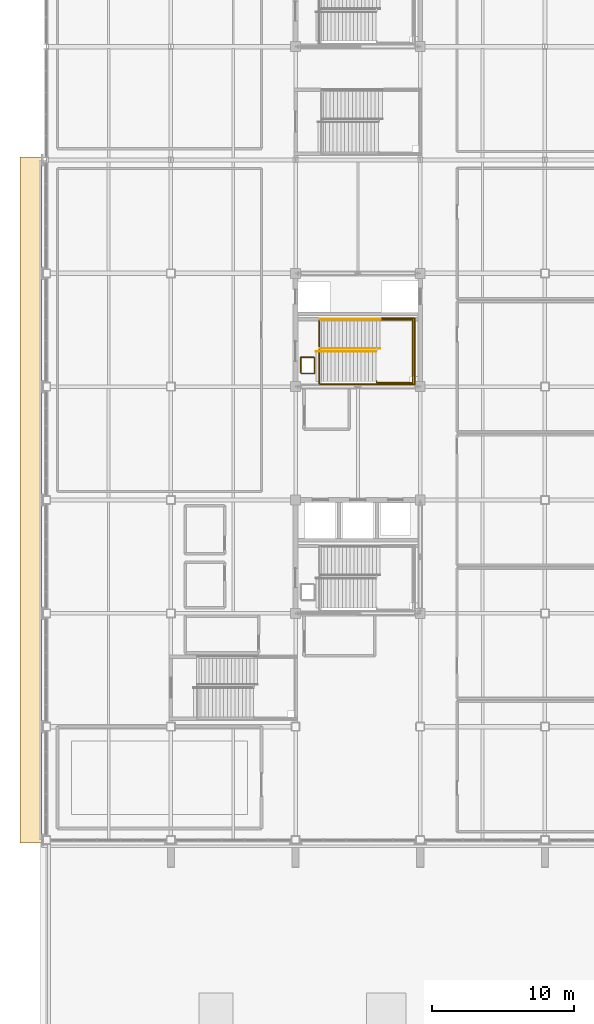
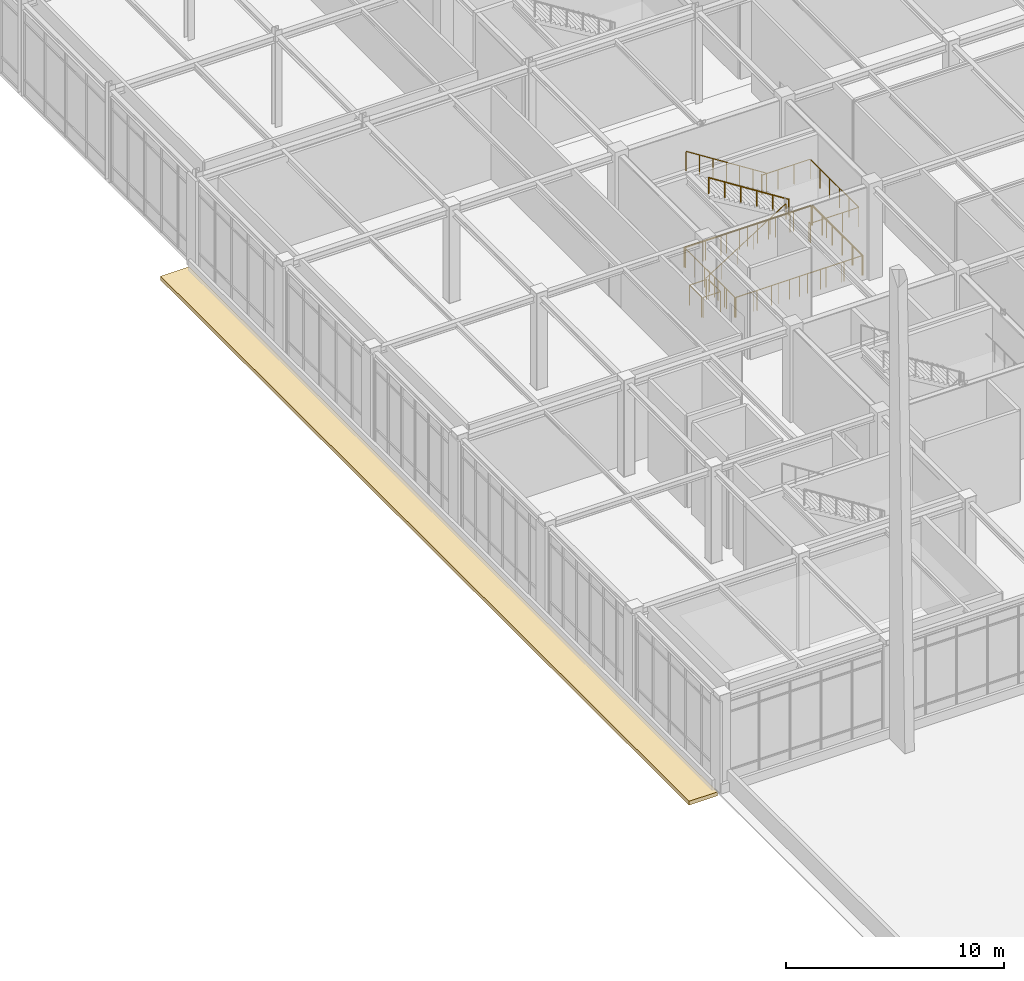
# One storey, part 99 of 108: 9 railings, 1 covering.
"""IFC4 building model written with IfcOpenShell, lengths in metres."""

from ifc_helpers import new_model, si_unit, direction, frame, origin, origin_2d, place, context, subcontext, project, spatial, rectangle, circle, extrude, material, layer, layer_set, type_object, element, save


model = new_model("IFC4")

# Units and contexts
model_context = context("Model", 3, precision=1e-05, world=origin(), true_north=direction((0.0, 1.0)))
body_context = subcontext(model_context, "Body", "Model", "MODEL_VIEW")
ifc_project = project(units=[si_unit("LENGTHUNIT", "METRE"), si_unit("AREAUNIT", "SQUARE_METRE"), si_unit("VOLUMEUNIT", "CUBIC_METRE"), si_unit("PLANEANGLEUNIT", "RADIAN"), si_unit("MASSUNIT", "GRAM", prefix="KILO")], contexts=[model_context])

# Site, building, storey
site_placement = place(None, origin())
site = spatial("IfcSite", under=ifc_project, at=site_placement, CompositionType="ELEMENT")
building_placement = place(site_placement, origin())
building = spatial("IfcBuilding", under=site, at=building_placement, Name="Zhaolan Boulevard Law Courts", CompositionType="ELEMENT")
storey_placement = place(building_placement, frame((0.0, 0.0, 10.800048828125)))
storey = spatial("IfcBuildingStorey", under=building, at=storey_placement, Name="L02", CompositionType="ELEMENT", Elevation=10.800048828125)

# Covering
ifc_material_1 = material(Name="Fair-faced architectural concrete C40", Category="concrete")
ifc_layer = layer(ifc_material_1, 0.219970703125)
ifc_layer_set = layer_set([ifc_layer])
covering_type = type_object("IfcCoveringType", Name="CONCRETE STORMHOOD 220", PredefinedType="CLADDING", material=ifc_layer_set)
covering_placement = place(storey_placement, frame((-1.10009765625, 54.0, -0.22021484375), z_axis=(0.0, 0.0, 1.0), x_axis=(1.0, 0.0, 0.0)))
element("IfcCovering", 1, at=covering_placement, inside=storey, type_object=covering_type, Name="Sculpted Concrete Typhoon Stormhood CSH-01", PredefinedType="CLADDING", context=body_context, shape_type="SweptSolid", body=[
    extrude(rectangle(XDim=1.5, YDim=48.39990234375, at=origin_2d()), origin(), (0.0, 0.0, 1.0), 0.219970703125),
])

# Railings
ifc_material_2 = material(Name="Powder-coated steel and tempered laminated glass", Category="steel")
railing_type_1 = type_object("IfcRailingType", Name="INTERIOR GUARDRAIL 1150", PredefinedType="GUARDRAIL", material=ifc_material_2)
railing_1_placement = place(storey_placement, frame((19.31005859375, 62.169921875, 0.0)))
element("IfcRailing", 2, at=railing_1_placement, inside=storey, type_object=railing_type_1, Name="Atrium Gallery Guardrail VG-2-V5-7A", PredefinedType="GUARDRAIL", context=body_context, shape_type="SweptSolid", body=[
    extrude(circle(Radius=0.02490234375, at=origin_2d()), frame((0.0, 0.0, 1.125), z_axis=(1.0, 0.0, 0.0), x_axis=(0.0, 1.0, 0.0)), (0.0, 0.0, 1.0), 6.719970703125),
    extrude(circle(Radius=0.02490234375, at=origin_2d()), frame((6.719970703125, 0.0, 1.125), z_axis=(0.0, 1.0, 0.0), x_axis=(-1.0, 0.0, 0.0)), (0.0, 0.0, 1.0), 4.6201171875),
    extrude(circle(Radius=0.02099609375, at=origin_2d()), origin(), (0.0, 0.0, 1.0), 1.099853515625),
    extrude(circle(Radius=0.02099609375, at=origin_2d()), frame((1.1201171875, 0.0, 0.0)), (0.0, 0.0, 1.0), 1.099853515625),
    extrude(circle(Radius=0.02099609375, at=origin_2d()), frame((2.239990234375, 0.0, 0.0)), (0.0, 0.0, 1.0), 1.099853515625),
    extrude(circle(Radius=0.02099609375, at=origin_2d()), frame((3.35986328125, 0.0, 0.0)), (0.0, 0.0, 1.0), 1.099853515625),
    extrude(circle(Radius=0.02099609375, at=origin_2d()), frame((4.47998046875, 0.0, 0.0)), (0.0, 0.0, 1.0), 1.099853515625),
    extrude(circle(Radius=0.02099609375, at=origin_2d()), frame((5.60009765625, 0.0, 0.0)), (0.0, 0.0, 1.0), 1.099853515625),
    extrude(circle(Radius=0.02099609375, at=origin_2d()), frame((6.719970703125, 0.0, 0.0)), (0.0, 0.0, 1.0), 1.099853515625),
    extrude(circle(Radius=0.02099609375, at=origin_2d()), frame((6.719970703125, 0.924072265625, 0.0)), (0.0, 0.0, 1.0), 1.099853515625),
    extrude(circle(Radius=0.02099609375, at=origin_2d()), frame((6.719970703125, 1.84814453125, 0.0)), (0.0, 0.0, 1.0), 1.099853515625),
    extrude(circle(Radius=0.02099609375, at=origin_2d()), frame((6.719970703125, 2.77197265625, 0.0)), (0.0, 0.0, 1.0), 1.099853515625),
    extrude(circle(Radius=0.02099609375, at=origin_2d()), frame((6.719970703125, 3.696044921875, 0.0)), (0.0, 0.0, 1.0), 1.099853515625),
    extrude(circle(Radius=0.02099609375, at=origin_2d()), frame((6.719970703125, 4.6201171875, 0.0)), (0.0, 0.0, 1.0), 1.099853515625),
])
railing_2_placement = place(storey_placement, frame((25.969970703125, 66.830078125, 0.0)))
element("IfcRailing", 3, at=railing_2_placement, inside=storey, type_object=railing_type_1, Name="Atrium Gallery Guardrail VG-2-V5-7B", PredefinedType="GUARDRAIL", context=body_context, shape_type="SweptSolid", body=[
    extrude(circle(Radius=0.02490234375, at=origin_2d()), frame((0.0, 0.0, 1.125), z_axis=(-1.0, 0.0, 0.0), x_axis=(0.0, -1.0, 0.0)), (0.0, 0.0, 1.0), 6.699951171875),
    extrude(circle(Radius=0.02490234375, at=origin_2d()), frame((-6.699951171875, 0.0, 1.125), z_axis=(0.0, -1.0, 0.0), x_axis=(1.0, 0.0, 0.0)), (0.0, 0.0, 1.0), 4.60009765625),
    extrude(circle(Radius=0.02099609375, at=origin_2d()), origin(), (0.0, 0.0, 1.0), 1.099853515625),
    extrude(circle(Radius=0.02099609375, at=origin_2d()), frame((-1.11669921875, 0.0, 0.0)), (0.0, 0.0, 1.0), 1.099853515625),
    extrude(circle(Radius=0.02099609375, at=origin_2d()), frame((-2.2333984375, 0.0, 0.0)), (0.0, 0.0, 1.0), 1.099853515625),
    extrude(circle(Radius=0.02099609375, at=origin_2d()), frame((-3.35009765625, 0.0, 0.0)), (0.0, 0.0, 1.0), 1.099853515625),
    extrude(circle(Radius=0.02099609375, at=origin_2d()), frame((-4.466552734375, 0.0, 0.0)), (0.0, 0.0, 1.0), 1.099853515625),
    extrude(circle(Radius=0.02099609375, at=origin_2d()), frame((-5.583251953125, 0.0, 0.0)), (0.0, 0.0, 1.0), 1.099853515625),
    extrude(circle(Radius=0.02099609375, at=origin_2d()), frame((-6.699951171875, 0.0, 0.0)), (0.0, 0.0, 1.0), 1.099853515625),
    extrude(circle(Radius=0.02099609375, at=origin_2d()), frame((-6.699951171875, -0.919921875, 0.0)), (0.0, 0.0, 1.0), 1.099853515625),
    extrude(circle(Radius=0.02099609375, at=origin_2d()), frame((-6.699951171875, -1.840087890625, 0.0)), (0.0, 0.0, 1.0), 1.099853515625),
    extrude(circle(Radius=0.02099609375, at=origin_2d()), frame((-6.699951171875, -2.760009765625, 0.0)), (0.0, 0.0, 1.0), 1.099853515625),
    extrude(circle(Radius=0.02099609375, at=origin_2d()), frame((-6.699951171875, -3.68017578125, 0.0)), (0.0, 0.0, 1.0), 1.099853515625),
    extrude(circle(Radius=0.02099609375, at=origin_2d()), frame((-6.699951171875, -4.60009765625, 0.0)), (0.0, 0.0, 1.0), 1.099853515625),
])
railing_3_placement = place(storey_placement, frame((18.010009765625, 62.919921875, 0.0)))
element("IfcRailing", 4, at=railing_3_placement, inside=storey, type_object=railing_type_1, Name="Atrium Gallery Guardrail VG-2-V5-10A", PredefinedType="GUARDRAIL", context=body_context, shape_type="SweptSolid", body=[
    extrude(circle(Radius=0.02490234375, at=origin_2d()), frame((0.0, 0.0, 1.125), z_axis=(1.0, 0.0, 0.0), x_axis=(0.0, 1.0, 0.0)), (0.0, 0.0, 1.0), 0.919921875),
    extrude(circle(Radius=0.02490234375, at=origin_2d()), frame((0.919921875, 0.0, 1.125), z_axis=(0.0, 1.0, 0.0), x_axis=(-1.0, 0.0, 0.0)), (0.0, 0.0, 1.0), 1.1201171875),
    extrude(circle(Radius=0.02099609375, at=origin_2d()), origin(), (0.0, 0.0, 1.0), 1.099853515625),
    extrude(circle(Radius=0.02099609375, at=origin_2d()), frame((0.919921875, 0.0, 0.0)), (0.0, 0.0, 1.0), 1.099853515625),
    extrude(circle(Radius=0.02099609375, at=origin_2d()), frame((0.919921875, 1.1201171875, 0.0)), (0.0, 0.0, 1.0), 1.099853515625),
])
railing_4_placement = place(storey_placement, frame((18.8701171875, 64.080078125, 0.0)))
element("IfcRailing", 5, at=railing_4_placement, inside=storey, type_object=railing_type_1, Name="Atrium Gallery Guardrail VG-2-V5-10B", PredefinedType="GUARDRAIL", context=body_context, shape_type="SweptSolid", body=[
    extrude(circle(Radius=0.02490234375, at=origin_2d()), frame((0.0, 0.0, 1.125), z_axis=(-1.0, 0.0, 0.0), x_axis=(0.0, -1.0, 0.0)), (0.0, 0.0, 1.0), 0.900146484375),
    extrude(circle(Radius=0.02490234375, at=origin_2d()), frame((-0.900146484375, 0.0, 1.125), z_axis=(0.0, -1.0, 0.0), x_axis=(1.0, 0.0, 0.0)), (0.0, 0.0, 1.0), 1.10009765625),
    extrude(circle(Radius=0.02099609375, at=origin_2d()), origin(), (0.0, 0.0, 1.0), 1.099853515625),
    extrude(circle(Radius=0.02099609375, at=origin_2d()), frame((-0.900146484375, 0.0, 0.0)), (0.0, 0.0, 1.0), 1.099853515625),
    extrude(circle(Radius=0.02099609375, at=origin_2d()), frame((-0.900146484375, -1.10009765625, 0.0)), (0.0, 0.0, 1.0), 1.099853515625),
])
ifc_material_3 = material(Name="Brushed stainless steel tubular handrail", Category="steel")
railing_type_2 = type_object("IfcRailingType", Name="STAIR HANDRAIL 900", PredefinedType="HANDRAIL", material=ifc_material_3)
railing_5_placement = place(storey_placement, frame((19.050048828125, 64.47998046875, 0.0)))
element("IfcRailing", 6, at=railing_5_placement, inside=storey, type_object=railing_type_2, Name="Stair Handrail HR-ST02-L02-1", PredefinedType="HANDRAIL", context=body_context, shape_type="SweptSolid", body=[
    extrude(circle(Radius=0.0224609375, at=origin_2d()), frame((0.0, 0.0, 0.87744140625), z_axis=(0.843501457581, 0.0, 0.537126885437), x_axis=(0.0, 1.0, 0.0)), (0.0, 0.0, 1.0), 5.026611328125),
    extrude(circle(Radius=0.01904296875, at=origin_2d()), origin(), (0.0, 0.0, 1.0), 0.85498046875),
    extrude(circle(Radius=0.01904296875, at=origin_2d()), frame((0.847900390625, 0.0, 0.5400390625)), (0.0, 0.0, 1.0), 0.85498046875),
    extrude(circle(Radius=0.01904296875, at=origin_2d()), frame((1.696044921875, 0.0, 1.080078125)), (0.0, 0.0, 1.0), 0.85498046875),
    extrude(circle(Radius=0.01904296875, at=origin_2d()), frame((2.5439453125, 0.0, 1.619873046875)), (0.0, 0.0, 1.0), 0.85498046875),
    extrude(circle(Radius=0.01904296875, at=origin_2d()), frame((3.39208984375, 0.0, 2.159912109375)), (0.0, 0.0, 1.0), 0.85498046875),
    extrude(circle(Radius=0.01904296875, at=origin_2d()), frame((4.239990234375, 0.0, 2.699951171875)), (0.0, 0.0, 1.0), 0.85498046875),
])
railing_6_placement = place(storey_placement, frame((23.574951171875, 64.699951171875, 2.699951171875)))
element("IfcRailing", 7, at=railing_6_placement, inside=storey, type_object=railing_type_2, Name="Stair Handrail HR-ST02-L02-2", PredefinedType="HANDRAIL", context=body_context, shape_type="SweptSolid", body=[
    extrude(circle(Radius=0.0224609375, at=origin_2d()), frame((0.0, 0.0, 0.87744140625), z_axis=(-0.843501457581, 0.0, 0.537126885437), x_axis=(0.0, -1.0, 0.0)), (0.0, 0.0, 1.0), 5.026611328125),
    extrude(circle(Radius=0.01904296875, at=origin_2d()), origin(), (0.0, 0.0, 1.0), 0.85498046875),
    extrude(circle(Radius=0.01904296875, at=origin_2d()), frame((-0.847900390625, 0.0, 0.5400390625)), (0.0, 0.0, 1.0), 0.85498046875),
    extrude(circle(Radius=0.01904296875, at=origin_2d()), frame((-1.696044921875, 0.0, 1.080078125)), (0.0, 0.0, 1.0), 0.85498046875),
    extrude(circle(Radius=0.01904296875, at=origin_2d()), frame((-2.5439453125, 0.0, 1.619873046875)), (0.0, 0.0, 1.0), 0.85498046875),
    extrude(circle(Radius=0.01904296875, at=origin_2d()), frame((-3.39208984375, 0.0, 2.159912109375)), (0.0, 0.0, 1.0), 0.85498046875),
    extrude(circle(Radius=0.01904296875, at=origin_2d()), frame((-4.239990234375, 0.0, 2.699951171875)), (0.0, 0.0, 1.0), 0.85498046875),
])
ifc_material_4 = material(Name="Powder-coated steel baluster guardrail", Category="steel")
railing_type_3 = type_object("IfcRailingType", Name="STAIR WELL GUARDRAIL 1120", PredefinedType="GUARDRAIL", material=ifc_material_4)
railing_7_placement = place(storey_placement, frame((19.2900390625, 64.530029296875, 0.0)))
element("IfcRailing", 8, at=railing_7_placement, inside=storey, type_object=railing_type_3, Name="Stair-Well Floor Guardrail WG-ST02-L01", PredefinedType="GUARDRAIL", context=body_context, shape_type="SweptSolid", body=[
    extrude(circle(Radius=0.02392578125, at=origin_2d()), frame((0.0, 0.0, 1.09619140625), z_axis=(0.0, -1.0, 0.0), x_axis=(1.0, 0.0, 0.0)), (0.0, 0.0, 1.0), 2.330078125),
    extrude(circle(Radius=0.02392578125, at=origin_2d()), frame((0.0, -2.330078125, 1.09619140625), z_axis=(1.0, 0.0, 0.0), x_axis=(0.0, 1.0, 0.0)), (0.0, 0.0, 1.0), 6.7099609375),
    extrude(circle(Radius=0.02392578125, at=origin_2d()), frame((6.7099609375, -2.330078125, 1.09619140625), z_axis=(0.0, 1.0, 0.0), x_axis=(-1.0, 0.0, 0.0)), (0.0, 0.0, 1.0), 4.60009765625),
    extrude(circle(Radius=0.02392578125, at=origin_2d()), frame((6.7099609375, 2.27001953125, 1.09619140625), z_axis=(-1.0, 0.0, 0.0), x_axis=(0.0, -1.0, 0.0)), (0.0, 0.0, 1.0), 6.7099609375),
    extrude(circle(Radius=0.02392578125, at=origin_2d()), frame((0.0, 2.27001953125, 1.09619140625), z_axis=(0.0, -1.0, 0.0), x_axis=(1.0, 0.0, 0.0)), (0.0, 0.0, 1.0), 0.0400390625),
    extrude(circle(Radius=0.02099609375, at=origin_2d()), origin(), (0.0, 0.0, 1.0), 1.072021484375),
    extrude(circle(Radius=0.02099609375, at=origin_2d()), frame((0.0, -0.776611328125, 0.0)), (0.0, 0.0, 1.0), 1.072021484375),
    extrude(circle(Radius=0.02099609375, at=origin_2d()), frame((0.0, -1.553466796875, 0.0)), (0.0, 0.0, 1.0), 1.072021484375),
    extrude(circle(Radius=0.02099609375, at=origin_2d()), frame((0.0, -2.330078125, 0.0)), (0.0, 0.0, 1.0), 1.072021484375),
    extrude(circle(Radius=0.02099609375, at=origin_2d()), frame((0.95849609375, -2.330078125, 0.0)), (0.0, 0.0, 1.0), 1.072021484375),
    extrude(circle(Radius=0.02099609375, at=origin_2d()), frame((1.917236328125, -2.330078125, 0.0)), (0.0, 0.0, 1.0), 1.072021484375),
    extrude(circle(Radius=0.02099609375, at=origin_2d()), frame((2.875732421875, -2.330078125, 0.0)), (0.0, 0.0, 1.0), 1.072021484375),
    extrude(circle(Radius=0.02099609375, at=origin_2d()), frame((3.834228515625, -2.330078125, 0.0)), (0.0, 0.0, 1.0), 1.072021484375),
    extrude(circle(Radius=0.02099609375, at=origin_2d()), frame((4.792724609375, -2.330078125, 0.0)), (0.0, 0.0, 1.0), 1.072021484375),
    extrude(circle(Radius=0.02099609375, at=origin_2d()), frame((5.75146484375, -2.330078125, 0.0)), (0.0, 0.0, 1.0), 1.072021484375),
    extrude(circle(Radius=0.02099609375, at=origin_2d()), frame((6.7099609375, -2.330078125, 0.0)), (0.0, 0.0, 1.0), 1.072021484375),
    extrude(circle(Radius=0.02099609375, at=origin_2d()), frame((6.7099609375, -1.41015625, 0.0)), (0.0, 0.0, 1.0), 1.072021484375),
    extrude(circle(Radius=0.02099609375, at=origin_2d()), frame((6.7099609375, -0.489990234375, 0.0)), (0.0, 0.0, 1.0), 1.072021484375),
    extrude(circle(Radius=0.02099609375, at=origin_2d()), frame((6.7099609375, 0.429931640625, 0.0)), (0.0, 0.0, 1.0), 1.072021484375),
    extrude(circle(Radius=0.02099609375, at=origin_2d()), frame((6.7099609375, 1.35009765625, 0.0)), (0.0, 0.0, 1.0), 1.072021484375),
    extrude(circle(Radius=0.02099609375, at=origin_2d()), frame((6.7099609375, 2.27001953125, 0.0)), (0.0, 0.0, 1.0), 1.072021484375),
    extrude(circle(Radius=0.02099609375, at=origin_2d()), frame((5.75146484375, 2.27001953125, 0.0)), (0.0, 0.0, 1.0), 1.072021484375),
    extrude(circle(Radius=0.02099609375, at=origin_2d()), frame((4.792724609375, 2.27001953125, 0.0)), (0.0, 0.0, 1.0), 1.072021484375),
    extrude(circle(Radius=0.02099609375, at=origin_2d()), frame((3.834228515625, 2.27001953125, 0.0)), (0.0, 0.0, 1.0), 1.072021484375),
    extrude(circle(Radius=0.02099609375, at=origin_2d()), frame((2.875732421875, 2.27001953125, 0.0)), (0.0, 0.0, 1.0), 1.072021484375),
    extrude(circle(Radius=0.02099609375, at=origin_2d()), frame((1.917236328125, 2.27001953125, 0.0)), (0.0, 0.0, 1.0), 1.072021484375),
    extrude(circle(Radius=0.02099609375, at=origin_2d()), frame((0.95849609375, 2.27001953125, 0.0)), (0.0, 0.0, 1.0), 1.072021484375),
    extrude(circle(Radius=0.02099609375, at=origin_2d()), frame((0.0, 2.27001953125, 0.0)), (0.0, 0.0, 1.0), 1.072021484375),
    extrude(circle(Radius=0.02099609375, at=origin_2d()), frame((0.0, 2.22998046875, 0.0)), (0.0, 0.0, 1.0), 1.072021484375),
])
railing_8_placement = place(storey_placement, frame((23.320068359375, 62.39990234375, 2.699951171875)))
element("IfcRailing", 9, at=railing_8_placement, inside=storey, type_object=railing_type_3, Name="Half-Landing Guardrail SG-ST02-L02-M", PredefinedType="GUARDRAIL", context=body_context, shape_type="SweptSolid", body=[
    extrude(circle(Radius=0.02392578125, at=origin_2d()), frame((0.0, 0.0, 1.09619140625), z_axis=(0.0, -1.0, 0.0), x_axis=(1.0, 0.0, 0.0)), (0.0, 0.0, 1.0), 0.119873046875),
    extrude(circle(Radius=0.02392578125, at=origin_2d()), frame((0.0, -0.119873046875, 1.09619140625), z_axis=(1.0, 0.0, 0.0), x_axis=(0.0, 1.0, 0.0)), (0.0, 0.0, 1.0), 2.550048828125),
    extrude(circle(Radius=0.02392578125, at=origin_2d()), frame((2.550048828125, -0.119873046875, 1.09619140625), z_axis=(0.0, 1.0, 0.0), x_axis=(-1.0, 0.0, 0.0)), (0.0, 0.0, 1.0), 4.43994140625),
    extrude(circle(Radius=0.02392578125, at=origin_2d()), frame((2.550048828125, 4.320068359375, 1.09619140625), z_axis=(-1.0, 0.0, 0.0), x_axis=(0.0, -1.0, 0.0)), (0.0, 0.0, 1.0), 2.550048828125),
    extrude(circle(Radius=0.02392578125, at=origin_2d()), frame((0.0, 4.320068359375, 1.09619140625), z_axis=(0.0, 1.0, 0.0), x_axis=(-1.0, 0.0, 0.0)), (0.0, 0.0, 1.0), 0.06005859375),
    extrude(circle(Radius=0.02099609375, at=origin_2d()), origin(), (0.0, 0.0, 1.0), 1.072021484375),
    extrude(circle(Radius=0.02099609375, at=origin_2d()), frame((0.0, -0.119873046875, 0.0)), (0.0, 0.0, 1.0), 1.072021484375),
    extrude(circle(Radius=0.02099609375, at=origin_2d()), frame((0.85009765625, -0.119873046875, 0.0)), (0.0, 0.0, 1.0), 1.072021484375),
    extrude(circle(Radius=0.02099609375, at=origin_2d()), frame((1.699951171875, -0.119873046875, 0.0)), (0.0, 0.0, 1.0), 1.072021484375),
    extrude(circle(Radius=0.02099609375, at=origin_2d()), frame((2.550048828125, -0.119873046875, 0.0)), (0.0, 0.0, 1.0), 1.072021484375),
    extrude(circle(Radius=0.02099609375, at=origin_2d()), frame((2.550048828125, 0.76806640625, 0.0)), (0.0, 0.0, 1.0), 1.072021484375),
    extrude(circle(Radius=0.02099609375, at=origin_2d()), frame((2.550048828125, 1.656005859375, 0.0)), (0.0, 0.0, 1.0), 1.072021484375),
    extrude(circle(Radius=0.02099609375, at=origin_2d()), frame((2.550048828125, 2.544189453125, 0.0)), (0.0, 0.0, 1.0), 1.072021484375),
    extrude(circle(Radius=0.02099609375, at=origin_2d()), frame((2.550048828125, 3.43212890625, 0.0)), (0.0, 0.0, 1.0), 1.072021484375),
    extrude(circle(Radius=0.02099609375, at=origin_2d()), frame((2.550048828125, 4.320068359375, 0.0)), (0.0, 0.0, 1.0), 1.072021484375),
    extrude(circle(Radius=0.02099609375, at=origin_2d()), frame((1.699951171875, 4.320068359375, 0.0)), (0.0, 0.0, 1.0), 1.072021484375),
    extrude(circle(Radius=0.02099609375, at=origin_2d()), frame((0.85009765625, 4.320068359375, 0.0)), (0.0, 0.0, 1.0), 1.072021484375),
    extrude(circle(Radius=0.02099609375, at=origin_2d()), frame((0.0, 4.320068359375, 0.0)), (0.0, 0.0, 1.0), 1.072021484375),
    extrude(circle(Radius=0.02099609375, at=origin_2d()), frame((0.0, 4.380126953125, 0.0)), (0.0, 0.0, 1.0), 1.072021484375),
])
railing_9_placement = place(storey_placement, frame((23.574951171875, 66.760009765625, 2.699951171875)))
element("IfcRailing", 10, at=railing_9_placement, inside=storey, type_object=railing_type_3, Name="Flight Guardrail SG-ST02-L02-F2", PredefinedType="GUARDRAIL", context=body_context, shape_type="SweptSolid", body=[
    extrude(circle(Radius=0.02392578125, at=origin_2d()), frame((0.0, 0.0, 1.09619140625), z_axis=(-0.843501457581, 0.0, 0.537126885437), x_axis=(0.0, -1.0, 0.0)), (0.0, 0.0, 1.0), 5.026611328125),
    extrude(circle(Radius=0.02099609375, at=origin_2d()), origin(), (0.0, 0.0, 1.0), 1.072021484375),
    extrude(circle(Radius=0.02099609375, at=origin_2d()), frame((-0.70654296875, 0.0, 0.449951171875)), (0.0, 0.0, 1.0), 1.072021484375),
    extrude(circle(Radius=0.02099609375, at=origin_2d()), frame((-1.413330078125, 0.0, 0.89990234375)), (0.0, 0.0, 1.0), 1.072021484375),
    extrude(circle(Radius=0.02099609375, at=origin_2d()), frame((-2.1201171875, 0.0, 1.35009765625)), (0.0, 0.0, 1.0), 1.072021484375),
    extrude(circle(Radius=0.02099609375, at=origin_2d()), frame((-2.82666015625, 0.0, 1.800048828125)), (0.0, 0.0, 1.0), 1.072021484375),
    extrude(circle(Radius=0.02099609375, at=origin_2d()), frame((-3.533203125, 0.0, 2.25)), (0.0, 0.0, 1.0), 1.072021484375),
    extrude(circle(Radius=0.02099609375, at=origin_2d()), frame((-4.239990234375, 0.0, 2.699951171875)), (0.0, 0.0, 1.0), 1.072021484375),
])

save(model, "model.ifc")
